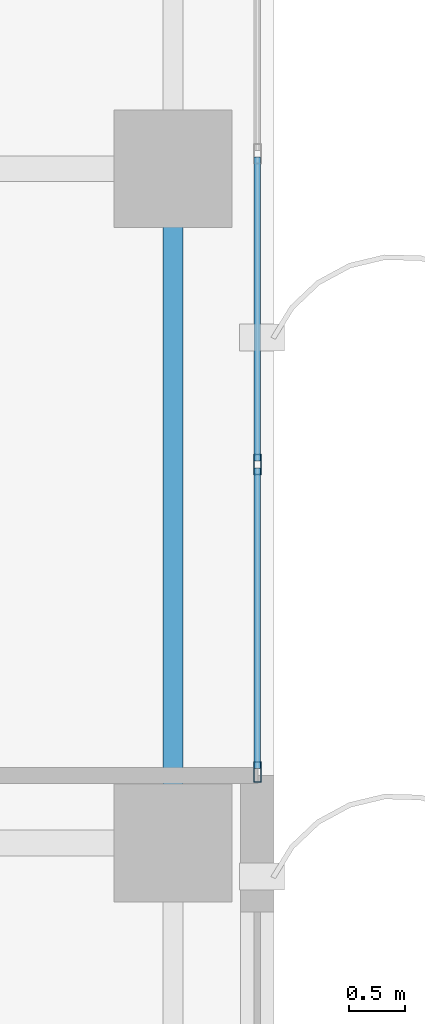
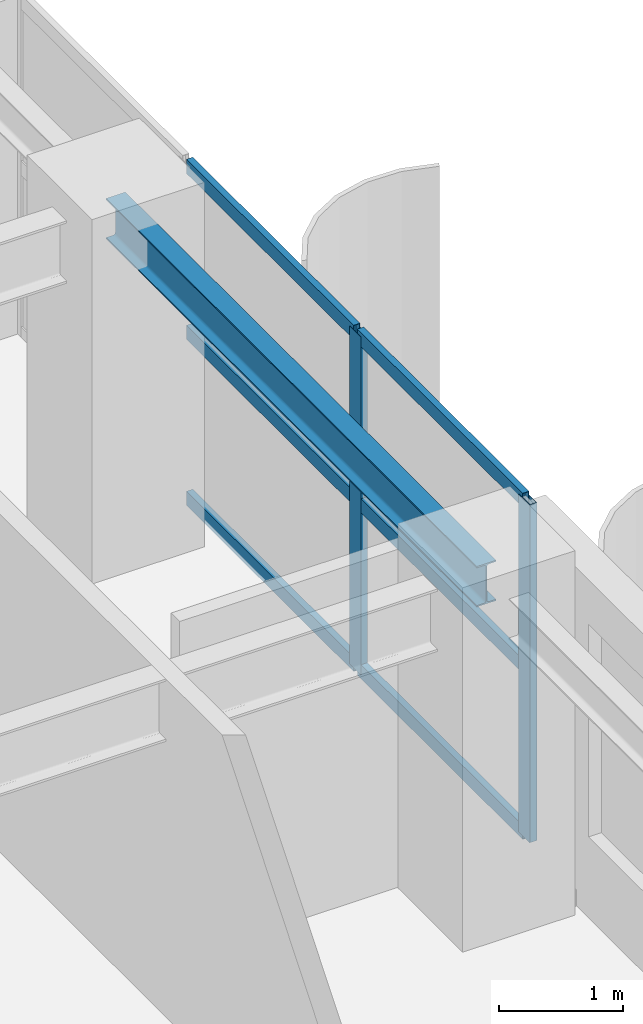
# One storey, part 11 of 26: 8 members, 1 beam, 1 element without a shape of its own.
"""IFC4 building model written with IfcOpenShell, lengths in metres."""

from ifc_helpers import new_model, si_unit, direction, frame, origin, origin_2d, place, context, subcontext, project, spatial, hollow_rectangle, i_section, extrude, source, transform, mapped, material, layer, layer_set, material_profile, profile_set, type_object, element, aggregate, save


model = new_model("IFC4")

# Units and contexts
model_context = context("Model", 3, precision=1e-05, world=origin(), true_north=direction((0.0, 1.0)))
body_context = subcontext(model_context, "Body", "Model", "MODEL_VIEW")
ifc_project = project(units=[si_unit("LENGTHUNIT", "METRE"), si_unit("AREAUNIT", "SQUARE_METRE"), si_unit("VOLUMEUNIT", "CUBIC_METRE"), si_unit("PLANEANGLEUNIT", "RADIAN"), si_unit("MASSUNIT", "GRAM", prefix="KILO")], contexts=[model_context])

# Site, building, storey
site_placement = place(None, origin())
site = spatial("IfcSite", under=ifc_project, at=site_placement, CompositionType="ELEMENT")
building_placement = place(site_placement, origin())
building = spatial("IfcBuilding", under=site, at=building_placement, Name="Khoralis Quay Care Tower", CompositionType="ELEMENT")
storey_placement = place(building_placement, frame((0.0, 0.0, 126.89990234375)))
storey = spatial("IfcBuildingStorey", under=building, at=storey_placement, Name="L33", CompositionType="ELEMENT", Elevation=126.89990234375)

# Beam
ifc_material_1 = material(Name="Steel S355", Category="steel")
ifc_material_profile_1 = material_profile(ifc_material_1, i_section(OverallWidth=0.179931640625, OverallDepth=0.39990234375, WebThickness=0.008544921875, FlangeThickness=0.013427734375, FilletRadius=0.02099609375, at=origin_2d()), Name="Steel S355")
ifc_profile_set_1 = profile_set([ifc_material_profile_1], Name="Steel S355")
beam_type = type_object("IfcBeamType", Name="BM-IPE400", PredefinedType="SPANDREL", material=ifc_profile_set_1)
shared_shape_1 = source(origin(), body_context, "Body", "SweptSolid", [
    extrude(i_section(OverallWidth=0.179931640625, OverallDepth=0.39990234375, WebThickness=0.008544921875, FlangeThickness=0.013427734375, FilletRadius=0.02099609375, at=origin_2d()), origin(), (0.0, 0.0, 1.0), 6.0),
])
beam_placement = place(storey_placement, frame((44.10009765625, 18.0, 3.14013671875), z_axis=(0.0, 1.0, 0.0), x_axis=(-1.0, 0.0, 0.0)))
element("IfcBeam", 1, at=beam_placement, inside=storey, type_object=beam_type, Name="BM-TSP-L33-18", PredefinedType="SPANDREL", context=body_context, shape_type="MappedRepresentation", body=[
    mapped(shared_shape_1, transform((0.0, 0.0, 0.0), scale=1.0)),
])

# Curtain wall, members
ifc_material_2 = material(Name="Pale anodised aluminium", Category="aluminium")
ifc_layer = layer(ifc_material_2, 0.169921875)
ifc_layer_set = layer_set([ifc_layer], Name="Pale anodised aluminium")
curtain_wall_type = type_object("IfcCurtainWallType", Name="CW-SYS-Z2", PredefinedType="NOTDEFINED", material=ifc_layer_set)
curtain_wall_placement = place(storey_placement, origin())
curtain_wall = element("IfcCurtainWall", 2, at=curtain_wall_placement, inside=storey, type_object=curtain_wall_type, Name="L33 Unitised Curtain Wall CW-L33-P1-E5", PredefinedType="NOTDEFINED")
ifc_material_profile_2 = material_profile(ifc_material_2, hollow_rectangle(XDim=0.06494140625, YDim=0.179931640625, WallThickness=0.00390625, at=origin_2d()), Name="Pale anodised aluminium")
ifc_profile_set_2 = profile_set([ifc_material_profile_2], Name="Pale anodised aluminium")
member_type_1 = type_object("IfcMemberType", Name="CW-MUL-180", PredefinedType="MULLION", material=ifc_profile_set_2)
shared_shape_2 = source(origin(), body_context, "Body", "SweptSolid", [
    extrude(hollow_rectangle(XDim=0.06494140625, YDim=0.179931640625, WallThickness=0.00390625, at=origin_2d()), origin(), (0.0, 0.0, 1.0), 3.340087890625),
])
member_1_placement = place(storey_placement, frame((44.85009765625, 18.6298828125, 0.0), z_axis=(0.0, 0.0, 1.0), x_axis=(-1.0, 0.0, 0.0)))
member_1 = element("IfcMember", 3, at=member_1_placement, type_object=member_type_1, Name="CW2 mullion 1", PredefinedType="MULLION", context=body_context, shape_type="MappedRepresentation", body=[
    mapped(shared_shape_2, transform((0.0, 0.0, 0.0), scale=1.0)),
])
member_2_placement = place(storey_placement, frame((44.85009765625, 21.36669921875, 0.0), z_axis=(0.0, 0.0, 1.0), x_axis=(-1.0, 0.0, 0.0)))
member_2 = element("IfcMember", 4, at=member_2_placement, type_object=member_type_1, Name="CW2 mullion 2", PredefinedType="MULLION", context=body_context, shape_type="MappedRepresentation", body=[
    mapped(shared_shape_2, transform((0.0, 0.0, 0.0), scale=1.0)),
])
ifc_material_profile_3 = material_profile(ifc_material_2, hollow_rectangle(XDim=0.06005859375, YDim=0.139892578125, WallThickness=0.00390625, at=origin_2d()), Name="Pale anodised aluminium")
ifc_profile_set_3 = profile_set([ifc_material_profile_3], Name="Pale anodised aluminium")
member_type_2 = type_object("IfcMemberType", Name="CW-TRN-140", PredefinedType="USERDEFINED", material=ifc_profile_set_3)
shared_shape_3 = source(origin(), body_context, "Body", "SweptSolid", [
    extrude(hollow_rectangle(XDim=0.06005859375, YDim=0.139892578125, WallThickness=0.00390625, at=origin_2d()), origin(), (0.0, 0.0, 1.0), 2.6767578125),
])
member_3_placement = place(storey_placement, frame((44.85009765625, 18.659912109375, 0.030029296875), z_axis=(0.0, 1.0, 0.0), x_axis=(-1.0, 0.0, 0.0)))
member_3 = element("IfcMember", 5, at=member_3_placement, type_object=member_type_2, Name="CW2 transom 1.1", ObjectType="TRANSOM", PredefinedType="USERDEFINED", context=body_context, shape_type="MappedRepresentation", body=[
    mapped(shared_shape_3, transform((0.0, 0.0, 0.0), scale=1.0)),
])
member_4_placement = place(storey_placement, frame((44.85009765625, 18.659912109375, 1.670166015625), z_axis=(0.0, 1.0, 0.0), x_axis=(-1.0, 0.0, 0.0)))
member_4 = element("IfcMember", 6, at=member_4_placement, type_object=member_type_2, Name="CW2 transom 1.2", ObjectType="TRANSOM", PredefinedType="USERDEFINED", context=body_context, shape_type="MappedRepresentation", body=[
    mapped(shared_shape_3, transform((0.0, 0.0, 0.0), scale=1.0)),
])
member_5_placement = place(storey_placement, frame((44.85009765625, 18.659912109375, 3.31005859375), z_axis=(0.0, 1.0, 0.0), x_axis=(-1.0, 0.0, 0.0)))
member_5 = element("IfcMember", 7, at=member_5_placement, type_object=member_type_2, Name="CW2 transom 1.3", ObjectType="TRANSOM", PredefinedType="USERDEFINED", context=body_context, shape_type="MappedRepresentation", body=[
    mapped(shared_shape_3, transform((0.0, 0.0, 0.0), scale=1.0)),
])
shared_shape_4 = source(origin(), body_context, "Body", "SweptSolid", [
    extrude(hollow_rectangle(XDim=0.06005859375, YDim=0.139892578125, WallThickness=0.00390625, at=origin_2d()), origin(), (0.0, 0.0, 1.0), 2.70654296875),
])
member_6_placement = place(storey_placement, frame((44.85009765625, 21.396728515625, 0.030029296875), z_axis=(0.0, 1.0, 0.0), x_axis=(-1.0, 0.0, 0.0)))
member_6 = element("IfcMember", 8, at=member_6_placement, type_object=member_type_2, Name="CW2 transom 2.1", ObjectType="TRANSOM", PredefinedType="USERDEFINED", context=body_context, shape_type="MappedRepresentation", body=[
    mapped(shared_shape_4, transform((0.0, 0.0, 0.0), scale=1.0)),
])
member_7_placement = place(storey_placement, frame((44.85009765625, 21.396728515625, 1.670166015625), z_axis=(0.0, 1.0, 0.0), x_axis=(-1.0, 0.0, 0.0)))
member_7 = element("IfcMember", 9, at=member_7_placement, type_object=member_type_2, Name="CW2 transom 2.2", ObjectType="TRANSOM", PredefinedType="USERDEFINED", context=body_context, shape_type="MappedRepresentation", body=[
    mapped(shared_shape_4, transform((0.0, 0.0, 0.0), scale=1.0)),
])
member_8_placement = place(storey_placement, frame((44.85009765625, 21.396728515625, 3.31005859375), z_axis=(0.0, 1.0, 0.0), x_axis=(-1.0, 0.0, 0.0)))
member_8 = element("IfcMember", 10, at=member_8_placement, type_object=member_type_2, Name="CW2 transom 2.3", ObjectType="TRANSOM", PredefinedType="USERDEFINED", context=body_context, shape_type="MappedRepresentation", body=[
    mapped(shared_shape_4, transform((0.0, 0.0, 0.0), scale=1.0)),
])
aggregate(curtain_wall, [member_1, member_2, member_3, member_4, member_5, member_6, member_7, member_8])

save(model, "model.ifc")
